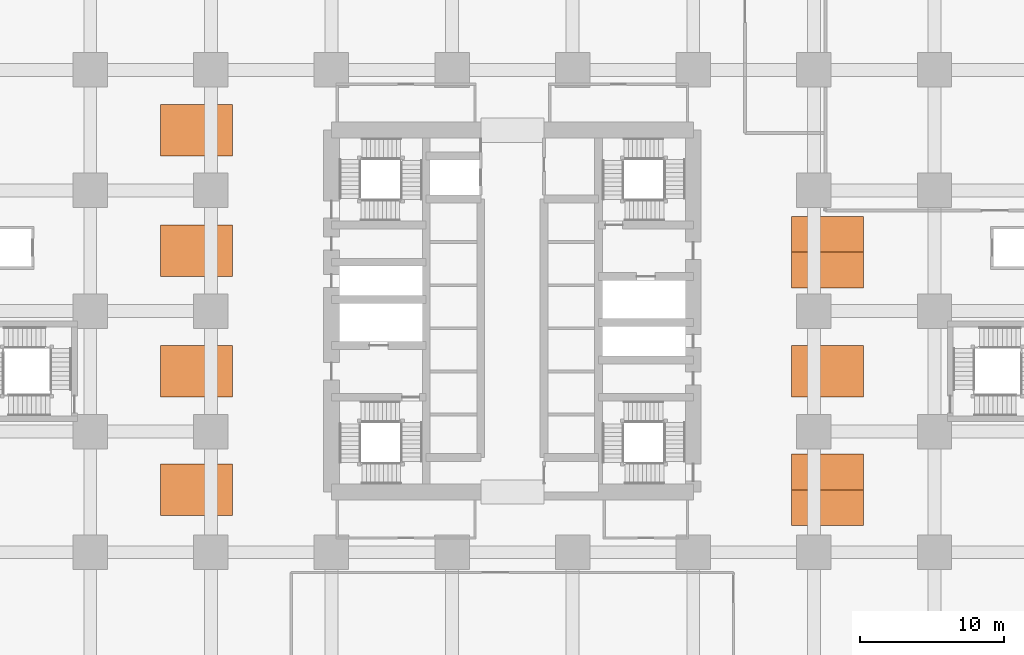
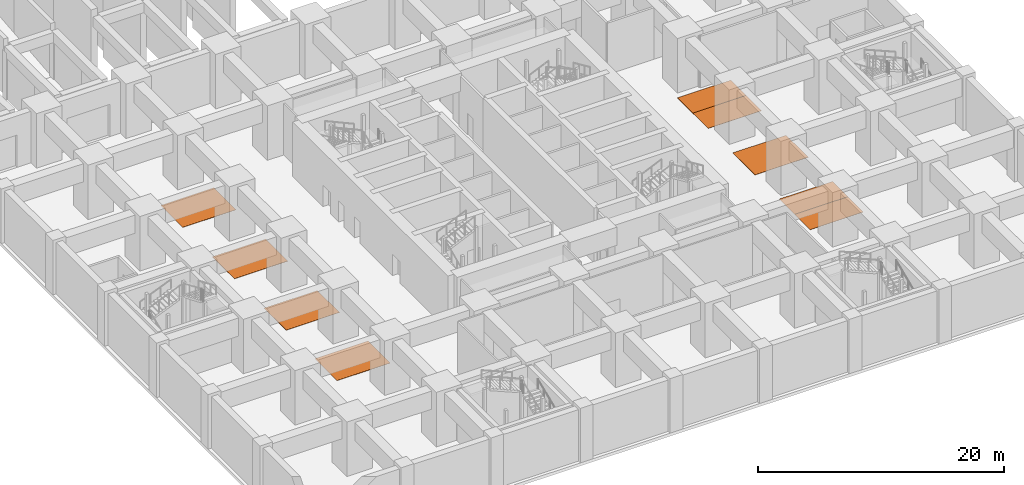
# One storey, part 20 of 20: 9 proxies.
"""IFC4 building model written with IfcOpenShell, lengths in metres."""

from ifc_helpers import new_model, si_unit, direction, frame, origin, origin_2d, place, context, subcontext, project, spatial, rectangle, extrude, material, type_object, element, save


model = new_model("IFC4")

# Units and contexts
model_context = context("Model", 3, precision=1e-05, world=origin(), true_north=direction((0.0, 1.0)))
body_context = subcontext(model_context, "Body", "Model", "MODEL_VIEW")
ifc_project = project(units=[si_unit("LENGTHUNIT", "METRE"), si_unit("AREAUNIT", "SQUARE_METRE"), si_unit("VOLUMEUNIT", "CUBIC_METRE"), si_unit("PLANEANGLEUNIT", "RADIAN"), si_unit("MASSUNIT", "GRAM", prefix="KILO")], contexts=[model_context])

# Site, building, storey
site_placement = place(None, origin())
site = spatial("IfcSite", under=ifc_project, at=site_placement, CompositionType="ELEMENT")
building_placement = place(site_placement, origin())
building = spatial("IfcBuilding", under=site, at=building_placement, Name="Rekha Terrace Tower", CompositionType="ELEMENT")
storey_placement = place(building_placement, frame((0.0, 0.0, -5.39990234375)))
storey = spatial("IfcBuildingStorey", under=building, at=storey_placement, Name="B-01", CompositionType="ELEMENT", Elevation=-5.39990234375)

# Proxies
ifc_material = material(Name="Road marking paint", Category="paint")
building_element_proxy_type_1 = type_object("IfcBuildingElementProxyType", Name="PB1 parking bay marking 2500x5000", PredefinedType="ELEMENT", material=ifc_material)
for number, where, z_axis, x_axis, name in (
    (1, (59.75, 19.89990234375, 0.0), (0.0, 0.0, 1.0), (1.0, 0.0, 0.0), "B-01 parking bay marking 1"),
    (2, (59.75, 22.39990234375, 0.0), (0.0, 0.0, 1.0), (1.0, 0.0, 0.0), "B-01 parking bay marking 2"),
    (3, (59.75, 36.449951171875, 0.0), (0.0, 0.0, 1.0), (1.0, 0.0, 0.0), "B-01 parking bay marking 3"),
    (4, (59.75, 38.949951171875, 0.0), (0.0, 0.0, 1.0), (1.0, 0.0, 0.0), "B-01 parking bay marking 4"),
):
    element("IfcBuildingElementProxy", number, at=place(storey_placement, frame(where, z_axis=z_axis, x_axis=x_axis)), inside=storey, type_object=building_element_proxy_type_1, Name=name, PredefinedType="ELEMENT", context=body_context, shape_type="SweptSolid", body=[
        extrude(rectangle(XDim=5.0, YDim=2.5, at=origin_2d()), origin(), (0.0, 0.0, 1.0), 0.02001953125),
    ])
building_element_proxy_type_2 = type_object("IfcBuildingElementProxyType", Name="PB2 accessible parking bay marking 3600x5000", PredefinedType="ELEMENT", material=ifc_material)
for number, where, z_axis, x_axis, name in (
    (5, (15.800048828125, 21.14990234375, 0.0), (0.0, 0.0, 1.0), (1.0, 0.0, 0.0), "B-01 accessible parking bay marking 1"),
    (6, (15.800048828125, 29.39990234375, 0.0), (0.0, 0.0, 1.0), (1.0, 0.0, 0.0), "B-01 accessible parking bay marking 2"),
    (7, (15.800048828125, 37.800048828125, 0.0), (0.0, 0.0, 1.0), (1.0, 0.0, 0.0), "B-01 accessible parking bay marking 3"),
    (8, (15.800048828125, 46.199951171875, 0.0), (0.0, 0.0, 1.0), (1.0, 0.0, 0.0), "B-01 accessible parking bay marking 4"),
    (9, (59.75, 29.39990234375, 0.0), (0.0, 0.0, 1.0), (1.0, 0.0, 0.0), "B-01 accessible parking bay marking 5"),
):
    element("IfcBuildingElementProxy", number, at=place(storey_placement, frame(where, z_axis=z_axis, x_axis=x_axis)), inside=storey, type_object=building_element_proxy_type_2, Name=name, PredefinedType="ELEMENT", context=body_context, shape_type="SweptSolid", body=[
        extrude(rectangle(XDim=5.0, YDim=3.60009765625, at=origin_2d()), origin(), (0.0, 0.0, 1.0), 0.02001953125),
    ])

save(model, "model.ifc")
